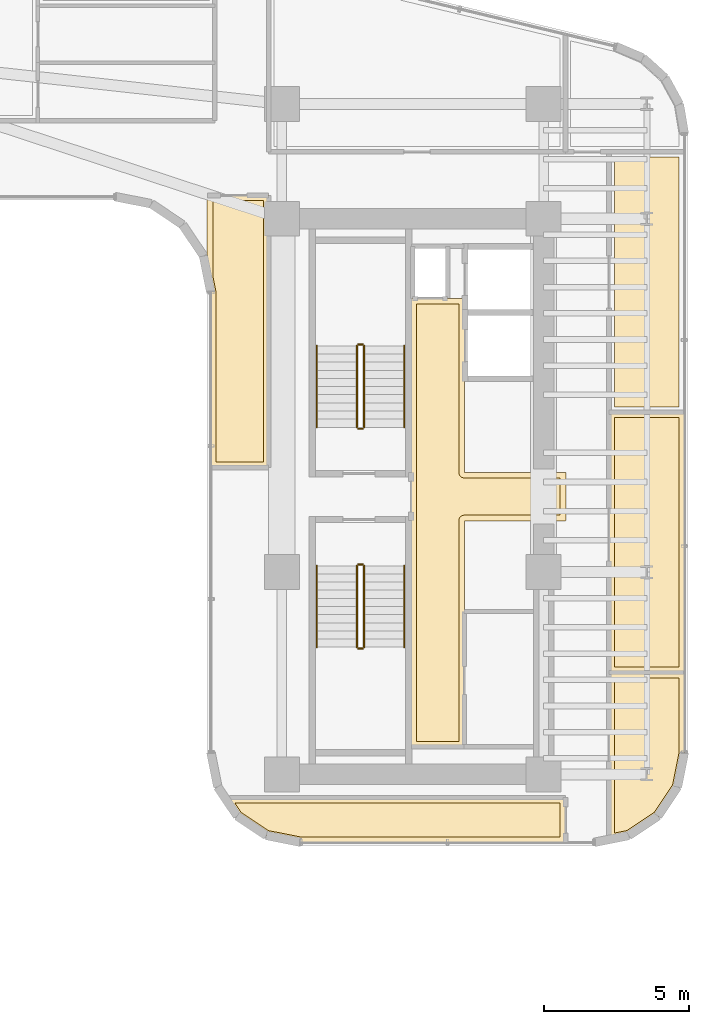
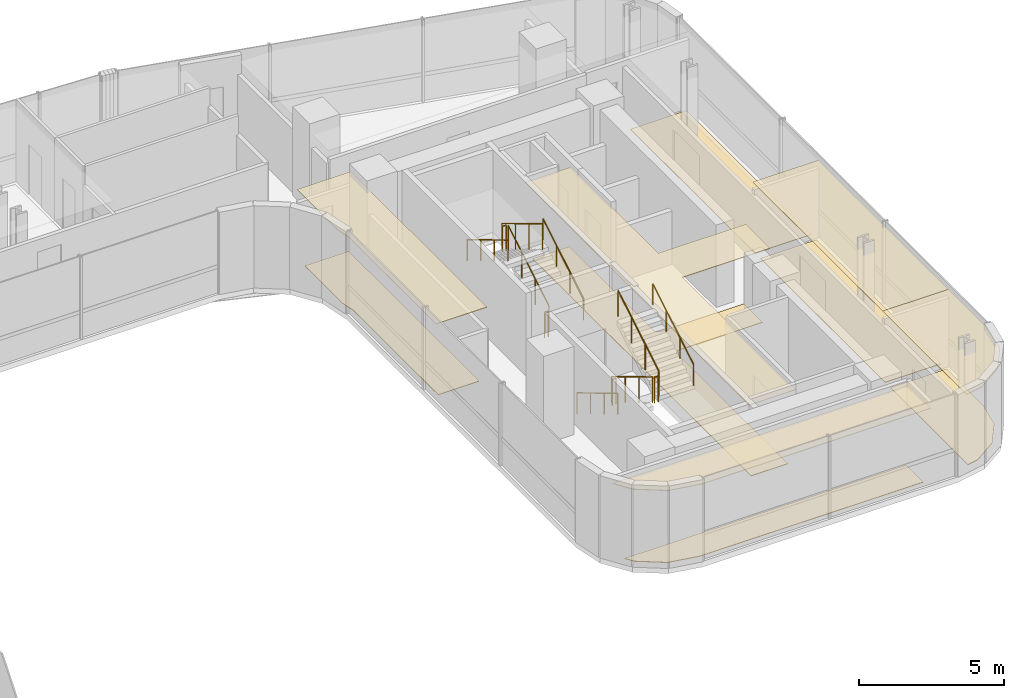
# One storey, part 35 of 37: 12 railings, 11 coverings.
"""IFC4 building model written with IfcOpenShell, lengths in metres."""

from ifc_helpers import new_model, si_unit, direction, frame, origin, origin_2d, place, context, subcontext, project, spatial, polyline, circle, outline, extrude, material, layer, layer_set, type_object, element, save


model = new_model("IFC4")

# Units and contexts
model_context = context("Model", 3, precision=1e-05, world=origin(), true_north=direction((0.0, 1.0)))
body_context = subcontext(model_context, "Body", "Model", "MODEL_VIEW")
ifc_project = project(units=[si_unit("LENGTHUNIT", "METRE"), si_unit("AREAUNIT", "SQUARE_METRE"), si_unit("VOLUMEUNIT", "CUBIC_METRE"), si_unit("PLANEANGLEUNIT", "RADIAN"), si_unit("MASSUNIT", "GRAM", prefix="KILO")], contexts=[model_context])

# Site, building, storey
site_placement = place(None, origin())
site = spatial("IfcSite", under=ifc_project, at=site_placement, CompositionType="ELEMENT")
building_placement = place(site_placement, origin())
building = spatial("IfcBuilding", under=site, at=building_placement, Name="Valdorenza Pilgrim Sanctuary Tower", CompositionType="ELEMENT")
storey_placement = place(building_placement, frame((0.0, 0.0, 127.89990234375)))
storey = spatial("IfcBuildingStorey", under=building, at=storey_placement, Name="L32", CompositionType="ELEMENT", Elevation=127.89990234375)

# Coverings
ifc_material_1 = material(Name="Micro-perforated acoustic mineral ceiling tile", Category="gypsum")
ifc_layer_1 = layer(ifc_material_1, 0.02490234375, Name="Micro-perforated acoustic mineral ceiling tile")
ifc_layer_set_1 = layer_set([ifc_layer_1], Name="Micro-perforated acoustic mineral ceiling tile")
covering_type_1 = type_object("IfcCoveringType", Name="COV-CLG-ACU", PredefinedType="CEILING", material=ifc_layer_set_1)
covering_1_placement = place(storey_placement, frame((0.0, 0.0, 3.16015625)))
element("IfcCovering", 1, at=covering_1_placement, inside=storey, type_object=covering_type_1, Name="L32 Core B Passenger Lift Lobby Acoustic Ceiling", PredefinedType="CEILING", context=body_context, shape_type="SweptSolid", body=[
    extrude(outline(polyline([(20.287109375, -0.814697265625), (20.287109375, 0.814697265625), (20.28662109375, 0.815185546875), (20.2861328125, 0.81640625), (20.28564453125, 0.81787109375), (20.285400390625, 0.819091796875), (20.28515625, 0.820556640625), (20.284912109375, 0.822021484375), (20.284912109375, 6.800048828125), (20.28515625, 6.801513671875), (20.285400390625, 6.802978515625), (20.28564453125, 6.804443359375), (20.2861328125, 6.8056640625), (20.286865234375, 6.80712890625), (20.28759765625, 6.808349609375), (20.288330078125, 6.8095703125), (20.289306640625, 6.810546875), (20.29052734375, 6.8115234375), (20.291748046875, 6.8125), (20.29296875, 6.813232421875), (20.294189453125, 6.81396484375), (20.295654296875, 6.814453125), (20.297119140625, 6.814697265625), (20.298583984375, 6.81494140625), (20.300048828125, 6.81494140625), (20.347900390625, 6.81494140625), (20.349365234375, 6.81494140625), (20.350830078125, 6.814697265625), (20.352294921875, 6.814453125), (20.353515625, 6.81396484375), (20.35498046875, 6.813232421875), (20.35546875, 6.81298828125), (21.544677734375, 6.81298828125), (21.545166015625, 6.813232421875), (21.54638671875, 6.81396484375), (21.5478515625, 6.814453125), (21.54931640625, 6.814697265625), (21.550537109375, 6.81494140625), (21.552001953125, 6.81494140625), (22.1201171875, 6.81494140625), (22.12158203125, 6.81494140625), (22.122802734375, 6.814697265625), (22.12451171875, 6.814453125), (22.125732421875, 6.81396484375), (22.127197265625, 6.813232421875), (22.12841796875, 6.8125), (22.12939453125, 6.8115234375), (22.130615234375, 6.810546875), (22.131591796875, 6.8095703125), (22.132568359375, 6.808349609375), (22.13330078125, 6.80712890625), (22.1337890625, 6.8056640625), (22.134521484375, 6.804443359375), (22.134765625, 6.802978515625), (22.135009765625, 6.801513671875), (22.135009765625, 6.800048828125), (22.135009765625, 0.8349609375), (25.60009765625, 0.8349609375), (25.6015625, 0.8349609375), (25.602783203125, 0.834716796875), (25.6044921875, 0.83447265625), (25.605712890625, 0.833984375), (25.607177734375, 0.833251953125), (25.6083984375, 0.83251953125), (25.609619140625, 0.83154296875), (25.610595703125, 0.83056640625), (25.611572265625, 0.82958984375), (25.612548828125, 0.828369140625), (25.61328125, 0.8271484375), (25.614013671875, 0.82568359375), (25.614501953125, 0.824462890625), (25.61474609375, 0.822998046875), (25.614990234375, 0.821533203125), (25.614990234375, 0.820068359375), (25.614990234375, -0.820068359375), (25.614990234375, -0.821533203125), (25.61474609375, -0.822998046875), (25.614501953125, -0.824462890625), (25.614013671875, -0.82568359375), (25.61328125, -0.8271484375), (25.612548828125, -0.828369140625), (25.611572265625, -0.82958984375), (25.610595703125, -0.83056640625), (25.609619140625, -0.83154296875), (25.6083984375, -0.83251953125), (25.607177734375, -0.833251953125), (25.605712890625, -0.833984375), (25.6044921875, -0.83447265625), (25.602783203125, -0.834716796875), (25.6015625, -0.8349609375), (25.60009765625, -0.8349609375), (22.135009765625, -0.8349609375), (22.135009765625, -8.60009765625), (22.135009765625, -8.6015625), (22.134765625, -8.602783203125), (22.134521484375, -8.6044921875), (22.1337890625, -8.605712890625), (22.13330078125, -8.607177734375), (22.132568359375, -8.6083984375), (22.131591796875, -8.609619140625), (22.130615234375, -8.610595703125), (22.12939453125, -8.611572265625), (22.12841796875, -8.612548828125), (22.127197265625, -8.61328125), (22.125732421875, -8.614013671875), (22.12451171875, -8.614501953125), (22.122802734375, -8.61474609375), (22.12158203125, -8.614990234375), (22.1201171875, -8.614990234375), (20.300048828125, -8.614990234375), (20.298583984375, -8.614990234375), (20.297119140625, -8.61474609375), (20.295654296875, -8.614501953125), (20.294189453125, -8.614013671875), (20.29296875, -8.61328125), (20.291748046875, -8.612548828125), (20.29052734375, -8.611572265625), (20.289306640625, -8.610595703125), (20.288330078125, -8.609619140625), (20.28759765625, -8.6083984375), (20.286865234375, -8.607177734375), (20.2861328125, -8.605712890625), (20.28564453125, -8.6044921875), (20.285400390625, -8.602783203125), (20.28515625, -8.6015625), (20.284912109375, -8.60009765625), (20.284912109375, -0.822021484375), (20.28515625, -0.820556640625), (20.285400390625, -0.819091796875), (20.28564453125, -0.81787109375), (20.2861328125, -0.81640625), (20.28662109375, -0.815185546875), (20.287109375, -0.814697265625)])), origin(), (0.0, 0.0, 1.0), 0.02490234375),
])
covering_2_placement = place(storey_placement, frame((0.0, 0.0, 3.16015625)))
element("IfcCovering", 2, at=covering_2_placement, inside=storey, type_object=covering_type_1, Name="L32 Sacred Manuscript Archive L32-BS Acoustic Ceiling", PredefinedType="CEILING", context=body_context, shape_type="SweptSolid", body=[
    extrude(outline(polyline([(25.614990234375, -11.889892578125), (25.614990234375, -11.8916015625), (25.61474609375, -11.892822265625), (25.614501953125, -11.894287109375), (25.614013671875, -11.895751953125), (25.61328125, -11.897216796875), (25.612548828125, -11.898193359375), (25.611572265625, -11.8994140625), (25.610595703125, -11.900634765625), (25.609619140625, -11.901611328125), (25.6083984375, -11.902587890625), (25.607177734375, -11.9033203125), (25.605712890625, -11.90380859375), (25.6044921875, -11.904296875), (25.602783203125, -11.90478515625), (25.6015625, -11.90478515625), (25.60009765625, -11.905029296875), (16.5107421875, -11.905029296875), (16.509521484375, -11.90478515625), (16.5078125, -11.90478515625), (15.3154296875, -11.66748046875), (15.31396484375, -11.6669921875), (15.3125, -11.66650390625), (15.311279296875, -11.666015625), (15.31005859375, -11.665283203125), (14.308349609375, -10.995849609375), (14.30712890625, -10.9951171875), (14.305908203125, -10.993896484375), (14.304931640625, -10.992919921875), (14.30419921875, -10.99169921875), (13.880859375, -10.3583984375), (13.880126953125, -10.357177734375), (13.87939453125, -10.355712890625), (13.87890625, -10.3544921875), (13.878662109375, -10.352783203125), (13.87841796875, -10.3515625), (13.87841796875, -10.35009765625), (13.87841796875, -10.348388671875), (13.878662109375, -10.34716796875), (13.87890625, -10.345703125), (13.87939453125, -10.34423828125), (13.880126953125, -10.343017578125), (13.880859375, -10.341796875), (13.881591796875, -10.340576171875), (13.8828125, -10.33935546875), (13.8837890625, -10.33837890625), (13.885009765625, -10.33740234375), (13.88623046875, -10.3369140625), (13.8876953125, -10.336181640625), (13.888916015625, -10.335693359375), (13.890380859375, -10.335205078125), (13.891845703125, -10.335205078125), (13.893310546875, -10.3349609375), (25.60009765625, -10.3349609375), (25.6015625, -10.335205078125), (25.602783203125, -10.335205078125), (25.6044921875, -10.335693359375), (25.605712890625, -10.336181640625), (25.607177734375, -10.3369140625), (25.6083984375, -10.33740234375), (25.609619140625, -10.33837890625), (25.610595703125, -10.33935546875), (25.611572265625, -10.340576171875), (25.612548828125, -10.341796875), (25.61328125, -10.343017578125), (25.614013671875, -10.34423828125), (25.614501953125, -10.345703125), (25.61474609375, -10.34716796875), (25.614990234375, -10.348388671875), (25.614990234375, -10.35009765625), (25.614990234375, -11.889892578125)])), origin(), (0.0, 0.0, 1.0), 0.02490234375),
])
covering_3_placement = place(storey_placement, frame((0.0, 0.0, 3.16015625)))
element("IfcCovering", 3, at=covering_3_placement, inside=storey, type_object=covering_type_1, Name="L32 East Reading Lounge L32-EB1 Acoustic Ceiling", PredefinedType="CEILING", context=body_context, shape_type="SweptSolid", body=[
    extrude(outline(polyline([(29.68994140625, -6.034912109375), (29.69140625, -6.03515625), (29.69287109375, -6.035400390625), (29.6943359375, -6.03564453125), (29.69580078125, -6.0361328125), (29.697021484375, -6.036865234375), (29.6982421875, -6.03759765625), (29.699462890625, -6.038330078125), (29.70068359375, -6.039306640625), (29.70166015625, -6.04052734375), (29.702392578125, -6.041748046875), (29.703125, -6.04296875), (29.703857421875, -6.044189453125), (29.704345703125, -6.045654296875), (29.70458984375, -6.047119140625), (29.704833984375, -6.048583984375), (29.705078125, -6.050048828125), (29.705078125, -8.789306640625), (29.704833984375, -8.79052734375), (29.70458984375, -8.7919921875), (29.467529296875, -9.984619140625), (29.467041015625, -9.986083984375), (29.466552734375, -9.9873046875), (29.466064453125, -9.98876953125), (29.46533203125, -9.989990234375), (28.7958984375, -10.99169921875), (28.794921875, -10.992919921875), (28.7939453125, -10.993896484375), (28.79296875, -10.9951171875), (28.791748046875, -10.995849609375), (27.7900390625, -11.665283203125), (27.788818359375, -11.666015625), (27.787353515625, -11.66650390625), (27.785888671875, -11.6669921875), (27.78466796875, -11.66748046875), (27.102783203125, -11.802978515625), (27.1015625, -11.80322265625), (27.10009765625, -11.803466796875), (27.098388671875, -11.80322265625), (27.09716796875, -11.802978515625), (27.095703125, -11.802734375), (27.09423828125, -11.80224609375), (27.093017578125, -11.801513671875), (27.091796875, -11.80078125), (27.090576171875, -11.800048828125), (27.08935546875, -11.799072265625), (27.08837890625, -11.7978515625), (27.08740234375, -11.796630859375), (27.0869140625, -11.79541015625), (27.086181640625, -11.794189453125), (27.085693359375, -11.792724609375), (27.085205078125, -11.791259765625), (27.085205078125, -11.789794921875), (27.0849609375, -11.788330078125), (27.0849609375, -6.050048828125), (27.085205078125, -6.048583984375), (27.085205078125, -6.047119140625), (27.085693359375, -6.045654296875), (27.086181640625, -6.044189453125), (27.0869140625, -6.04296875), (27.08740234375, -6.041748046875), (27.08837890625, -6.04052734375), (27.08935546875, -6.039306640625), (27.090576171875, -6.038330078125), (27.091796875, -6.03759765625), (27.093017578125, -6.036865234375), (27.09423828125, -6.0361328125), (27.095703125, -6.03564453125), (27.09716796875, -6.035400390625), (27.098388671875, -6.03515625), (27.10009765625, -6.034912109375), (29.68994140625, -6.034912109375)])), origin(), (0.0, 0.0, 1.0), 0.02490234375),
])
covering_4_placement = place(storey_placement, frame((0.0, 0.0, 3.16015625)))
element("IfcCovering", 4, at=covering_4_placement, inside=storey, type_object=covering_type_1, Name="L32 East Reading Lounge L32-EB2 Acoustic Ceiling", PredefinedType="CEILING", context=body_context, shape_type="SweptSolid", body=[
    extrude(outline(polyline([(27.0849609375, 2.89990234375), (27.085205078125, 2.901611328125), (27.085205078125, 2.90283203125), (27.085693359375, 2.904296875), (27.086181640625, 2.90576171875), (27.0869140625, 2.906982421875), (27.08740234375, 2.908203125), (27.08837890625, 2.909423828125), (27.08935546875, 2.91064453125), (27.090576171875, 2.91162109375), (27.091796875, 2.91259765625), (27.093017578125, 2.9130859375), (27.09423828125, 2.913818359375), (27.095703125, 2.914306640625), (27.09716796875, 2.914794921875), (27.098388671875, 2.914794921875), (27.10009765625, 2.9150390625), (29.68994140625, 2.9150390625), (29.69140625, 2.914794921875), (29.69287109375, 2.914794921875), (29.6943359375, 2.914306640625), (29.69580078125, 2.913818359375), (29.697021484375, 2.9130859375), (29.6982421875, 2.91259765625), (29.699462890625, 2.91162109375), (29.70068359375, 2.91064453125), (29.70166015625, 2.909423828125), (29.702392578125, 2.908203125), (29.703125, 2.906982421875), (29.703857421875, 2.90576171875), (29.704345703125, 2.904296875), (29.70458984375, 2.90283203125), (29.704833984375, 2.901611328125), (29.705078125, 2.89990234375), (29.705078125, -6.048095703125), (29.704833984375, -6.049560546875), (29.70458984375, -6.05078125), (29.704345703125, -6.052490234375), (29.703857421875, -6.0537109375), (29.703125, -6.05517578125), (29.702392578125, -6.056396484375), (29.70166015625, -6.0576171875), (29.70068359375, -6.05859375), (29.699462890625, -6.0595703125), (29.6982421875, -6.060546875), (29.697021484375, -6.061279296875), (29.69580078125, -6.06201171875), (29.6943359375, -6.0625), (29.69287109375, -6.062744140625), (29.69140625, -6.06298828125), (29.68994140625, -6.06298828125), (27.10009765625, -6.06298828125), (27.098388671875, -6.06298828125), (27.09716796875, -6.062744140625), (27.095703125, -6.0625), (27.09423828125, -6.06201171875), (27.093017578125, -6.061279296875), (27.091796875, -6.060546875), (27.090576171875, -6.0595703125), (27.08935546875, -6.05859375), (27.08837890625, -6.0576171875), (27.08740234375, -6.056396484375), (27.0869140625, -6.05517578125), (27.086181640625, -6.0537109375), (27.085693359375, -6.052490234375), (27.085205078125, -6.05078125), (27.085205078125, -6.049560546875), (27.0849609375, -6.048095703125), (27.0849609375, 2.89990234375)])), origin(), (0.0, 0.0, 1.0), 0.02490234375),
])
covering_5_placement = place(storey_placement, frame((0.0, 0.0, 3.16015625)))
element("IfcCovering", 5, at=covering_5_placement, inside=storey, type_object=covering_type_1, Name="L32 Courtyard Overlook Salon L32 Acoustic Ceiling", PredefinedType="CEILING", context=body_context, shape_type="SweptSolid", body=[
    extrude(outline(polyline([(15.39990234375, 10.364990234375), (15.401611328125, 10.364990234375), (15.40283203125, 10.36474609375), (15.404296875, 10.364501953125), (15.40576171875, 10.364013671875), (15.406982421875, 10.36328125), (15.408203125, 10.362548828125), (15.409423828125, 10.361572265625), (15.41064453125, 10.360595703125), (15.41162109375, 10.359619140625), (15.41259765625, 10.3583984375), (15.4130859375, 10.357177734375), (15.413818359375, 10.355712890625), (15.414306640625, 10.3544921875), (15.414794921875, 10.352783203125), (15.414794921875, 10.3515625), (15.4150390625, 10.35009765625), (15.4150390625, 1.0), (15.414794921875, 0.99853515625), (15.414794921875, 0.9970703125), (15.414306640625, 0.99560546875), (15.413818359375, 0.994384765625), (15.4130859375, 0.992919921875), (15.41259765625, 0.99169921875), (15.41162109375, 0.990478515625), (15.41064453125, 0.989501953125), (15.409423828125, 0.98828125), (15.408203125, 0.987548828125), (15.406982421875, 0.98681640625), (15.40576171875, 0.986083984375), (15.404296875, 0.985595703125), (15.40283203125, 0.9853515625), (15.401611328125, 0.985107421875), (15.39990234375, 0.985107421875), (13.409912109375, 0.985107421875), (13.408447265625, 0.985107421875), (13.406982421875, 0.9853515625), (13.405517578125, 0.985595703125), (13.404296875, 0.986083984375), (13.40283203125, 0.98681640625), (13.401611328125, 0.987548828125), (13.400390625, 0.98828125), (13.3994140625, 0.989501953125), (13.3984375, 0.990478515625), (13.3974609375, 0.99169921875), (13.396728515625, 0.992919921875), (13.39599609375, 0.994384765625), (13.3955078125, 0.99560546875), (13.395263671875, 0.9970703125), (13.39501953125, 0.99853515625), (13.39501953125, 1.0), (13.39501953125, 6.99951171875), (13.39453125, 7.00927734375), (13.39306640625, 7.018798828125), (13.285400390625, 7.560791015625), (13.28515625, 7.562255859375), (13.284912109375, 7.563720703125), (13.284912109375, 10.35009765625), (13.28515625, 10.3515625), (13.285400390625, 10.352783203125), (13.28564453125, 10.3544921875), (13.2861328125, 10.355712890625), (13.286865234375, 10.357177734375), (13.28759765625, 10.3583984375), (13.288330078125, 10.359619140625), (13.289306640625, 10.360595703125), (13.29052734375, 10.361572265625), (13.291748046875, 10.362548828125), (13.29296875, 10.36328125), (13.294189453125, 10.364013671875), (13.295654296875, 10.364501953125), (13.297119140625, 10.36474609375), (13.298583984375, 10.364990234375), (13.300048828125, 10.364990234375), (15.39990234375, 10.364990234375)])), origin(), (0.0, 0.0, 1.0), 0.02490234375),
])
ifc_material_2 = material(Name="Honed travertine stone flooring", Category="masonry")
ifc_layer_2 = layer(ifc_material_2, 0.030029296875, Name="Honed travertine stone flooring")
ifc_layer_set_2 = layer_set([ifc_layer_2], Name="Honed travertine stone flooring")
covering_type_2 = type_object("IfcCoveringType", Name="COV-FLR-TRV", PredefinedType="FLOORING", material=ifc_layer_set_2)
covering_6_placement = place(storey_placement, origin())
element("IfcCovering", 6, at=covering_6_placement, inside=storey, type_object=covering_type_2, Name="L32 Core B Passenger Lift Lobby Flooring", PredefinedType="FLOORING", context=body_context, shape_type="SweptSolid", body=[
    extrude(outline(polyline([(20.47998046875, 6.617919921875), (21.550048828125, 6.617919921875), (21.550537109375, 6.617919921875), (21.93994140625, 6.619384765625), (21.93994140625, 0.820068359375), (21.94091796875, 0.802490234375), (21.943603515625, 0.784912109375), (21.94775390625, 0.767578125), (21.95361328125, 0.751220703125), (21.961181640625, 0.735107421875), (21.97021484375, 0.719970703125), (21.98095703125, 0.705810546875), (21.99267578125, 0.692626953125), (22.005859375, 0.680908203125), (22.02001953125, 0.67041015625), (22.03515625, 0.661376953125), (22.051025390625, 0.65380859375), (22.067626953125, 0.647705078125), (22.0849609375, 0.6435546875), (22.102294921875, 0.640869140625), (22.1201171875, 0.639892578125), (25.419921875, 0.639892578125), (25.419921875, -0.639892578125), (22.1201171875, -0.639892578125), (22.102294921875, -0.640869140625), (22.0849609375, -0.6435546875), (22.067626953125, -0.647705078125), (22.051025390625, -0.65380859375), (22.03515625, -0.661376953125), (22.02001953125, -0.67041015625), (22.005859375, -0.680908203125), (21.99267578125, -0.692626953125), (21.98095703125, -0.705810546875), (21.97021484375, -0.719970703125), (21.961181640625, -0.735107421875), (21.95361328125, -0.751220703125), (21.94775390625, -0.767578125), (21.943603515625, -0.784912109375), (21.94091796875, -0.802490234375), (21.93994140625, -0.820068359375), (21.93994140625, -8.419921875), (20.47998046875, -8.419921875), (20.47998046875, -0.846923828125), (20.47998046875, -0.8466796875), (20.47998046875, -0.8466796875), (20.481689453125, -0.8291015625), (20.481689453125, -0.828857421875), (20.48193359375, -0.820068359375), (20.48193359375, 0.820068359375), (20.47998046875, 6.617919921875)])), origin(), (0.0, 0.0, 1.0), 0.025146484375),
])
covering_7_placement = place(storey_placement, origin())
element("IfcCovering", 7, at=covering_7_placement, inside=storey, type_object=covering_type_2, Name="L32 Sacred Manuscript Archive L32-BS Flooring", PredefinedType="FLOORING", context=body_context, shape_type="SweptSolid", body=[
    extrude(outline(polyline([(25.419921875, -11.7099609375), (16.528564453125, -11.7099609375), (15.388671875, -11.483154296875), (14.4462890625, -10.853515625), (14.22998046875, -10.530029296875), (25.419921875, -10.530029296875), (25.419921875, -11.7099609375)])), origin(), (0.0, 0.0, 1.0), 0.025146484375),
])
covering_8_placement = place(storey_placement, origin())
element("IfcCovering", 8, at=covering_8_placement, inside=storey, type_object=covering_type_2, Name="L32 East Reading Lounge L32-EB1 Flooring", PredefinedType="FLOORING", context=body_context, shape_type="SweptSolid", body=[
    extrude(outline(polyline([(29.510009765625, -6.22998046875), (29.510009765625, -8.771484375), (29.283203125, -9.911376953125), (28.653564453125, -10.853515625), (27.71142578125, -11.483154296875), (27.280029296875, -11.569091796875), (27.280029296875, -6.22998046875), (29.510009765625, -6.22998046875)])), origin(), (0.0, 0.0, 1.0), 0.025146484375),
])
covering_9_placement = place(storey_placement, origin())
element("IfcCovering", 9, at=covering_9_placement, inside=storey, type_object=covering_type_2, Name="L32 East Reading Lounge L32-EB2 Flooring", PredefinedType="FLOORING", context=body_context, shape_type="SweptSolid", body=[
    extrude(outline(polyline([(27.280029296875, 2.719970703125), (29.510009765625, 2.719970703125), (29.510009765625, -5.867919921875), (27.280029296875, -5.867919921875), (27.280029296875, 2.719970703125)])), origin(), (0.0, 0.0, 1.0), 0.025146484375),
])
covering_10_placement = place(storey_placement, origin())
element("IfcCovering", 10, at=covering_10_placement, inside=storey, type_object=covering_type_2, Name="L32 East Reading Lounge L32-EB3 Flooring", PredefinedType="FLOORING", context=body_context, shape_type="SweptSolid", body=[
    extrude(outline(polyline([(27.280029296875, 11.66796875), (29.510009765625, 11.66796875), (29.510009765625, 3.08203125), (27.280029296875, 3.08203125), (27.280029296875, 11.66796875)])), origin(), (0.0, 0.0, 1.0), 0.025146484375),
])
covering_11_placement = place(storey_placement, origin())
element("IfcCovering", 11, at=covering_11_placement, inside=storey, type_object=covering_type_2, Name="L32 Courtyard Overlook Salon L32 Flooring", PredefinedType="FLOORING", context=body_context, shape_type="SweptSolid", body=[
    extrude(outline(polyline([(15.219970703125, 10.169921875), (15.219970703125, 1.179931640625), (13.590087890625, 1.179931640625), (13.590087890625, 7.0), (13.58984375, 7.0087890625), (13.58935546875, 7.01953125), (13.58740234375, 7.037109375), (13.5859375, 7.0478515625), (13.58447265625, 7.056640625), (13.47998046875, 7.58154296875), (13.47998046875, 10.169921875), (15.219970703125, 10.169921875)])), origin(), (0.0, 0.0, 1.0), 0.025146484375),
])

# Railings
ifc_material_3 = material(Name="Stainless steel Grade 316", Category="steel")
railing_type_1 = type_object("IfcRailingType", Name="RLG-GRD-1120", PredefinedType="GUARDRAIL", material=ifc_material_3)
railing_1_placement = place(storey_placement, frame((18.679931640625, 2.3798828125, 0.168212890625)))
element("IfcRailing", 12, at=railing_1_placement, inside=storey, type_object=railing_type_1, Name="L32 ST-B1 stair guard 1", PredefinedType="GUARDRAIL", context=body_context, shape_type="SweptSolid", body=[
    extrude(circle(Radius=0.02392578125, at=origin_2d()), frame((0.0, 0.0, 1.076171875), z_axis=(0.0, 0.857242210791, 0.514913383045), x_axis=(-1.0, 0.0, 0.0)), (0.0, 0.0, 1.0), 3.266357421875),
    extrude(circle(Radius=0.02099609375, at=origin_2d()), origin(), (0.0, 0.0, 1.0), 1.052001953125),
    extrude(circle(Radius=0.02099609375, at=origin_2d()), frame((0.0, 0.933349609375, 0.560546875)), (0.0, 0.0, 1.0), 1.052001953125),
    extrude(circle(Radius=0.02099609375, at=origin_2d()), frame((0.0, 1.86669921875, 1.121337890625)), (0.0, 0.0, 1.0), 1.052001953125),
    extrude(circle(Radius=0.02099609375, at=origin_2d()), frame((0.0, 2.800048828125, 1.681884765625)), (0.0, 0.0, 1.0), 1.052001953125),
])
railing_2_placement = place(storey_placement, frame((18.6298828125, 5.22998046875, 1.85009765625)))
element("IfcRailing", 13, at=railing_2_placement, inside=storey, type_object=railing_type_1, Name="L32 ST-B1 stair guard 2", PredefinedType="GUARDRAIL", context=body_context, shape_type="SweptSolid", body=[
    extrude(circle(Radius=0.02392578125, at=origin_2d()), frame((0.0, 0.0, 1.076171875), z_axis=(-1.0, 0.0, 0.0), x_axis=(0.0, -1.0, 0.0)), (0.0, 0.0, 1.0), 0.14990234375),
    extrude(circle(Radius=0.02099609375, at=origin_2d()), origin(), (0.0, 0.0, 1.0), 1.052001953125),
    extrude(circle(Radius=0.02099609375, at=origin_2d()), frame((-0.14990234375, 0.0, 0.0)), (0.0, 0.0, 1.0), 1.052001953125),
])
railing_3_placement = place(storey_placement, frame((18.429931640625, 5.179931640625, 2.018310546875)))
element("IfcRailing", 14, at=railing_3_placement, inside=storey, type_object=railing_type_1, Name="L32 ST-B1 stair guard 3", PredefinedType="GUARDRAIL", context=body_context, shape_type="SweptSolid", body=[
    extrude(circle(Radius=0.02392578125, at=origin_2d()), frame((0.0, 0.0, 1.076171875), z_axis=(0.0, -0.857242210791, 0.514913383045), x_axis=(1.0, 0.0, 0.0)), (0.0, 0.0, 1.0), 3.266357421875),
    extrude(circle(Radius=0.02099609375, at=origin_2d()), origin(), (0.0, 0.0, 1.0), 1.052001953125),
    extrude(circle(Radius=0.02099609375, at=origin_2d()), frame((0.0, -0.933349609375, 0.560546875)), (0.0, 0.0, 1.0), 1.052001953125),
    extrude(circle(Radius=0.02099609375, at=origin_2d()), frame((0.0, -1.86669921875, 1.121337890625)), (0.0, 0.0, 1.0), 1.052001953125),
    extrude(circle(Radius=0.02099609375, at=origin_2d()), frame((0.0, -2.800048828125, 1.681884765625)), (0.0, 0.0, 1.0), 1.052001953125),
])
railing_4_placement = place(storey_placement, frame((18.6298828125, 2.330078125, 0.0)))
element("IfcRailing", 15, at=railing_4_placement, inside=storey, type_object=railing_type_1, Name="L32 ST-B1 stair guard 4", PredefinedType="GUARDRAIL", context=body_context, shape_type="SweptSolid", body=[
    extrude(circle(Radius=0.02392578125, at=origin_2d()), frame((0.0, 0.0, 1.076171875), z_axis=(-1.0, 0.0, 0.0), x_axis=(0.0, -1.0, 0.0)), (0.0, 0.0, 1.0), 0.14990234375),
    extrude(circle(Radius=0.02099609375, at=origin_2d()), origin(), (0.0, 0.0, 1.0), 1.052001953125),
    extrude(circle(Radius=0.02099609375, at=origin_2d()), frame((-0.14990234375, 0.0, 0.0)), (0.0, 0.0, 1.0), 1.052001953125),
])
railing_5_placement = place(storey_placement, frame((18.429931640625, -2.3798828125, 0.168212890625)))
element("IfcRailing", 16, at=railing_5_placement, inside=storey, type_object=railing_type_1, Name="L32 ST-B2 stair guard 1", PredefinedType="GUARDRAIL", context=body_context, shape_type="SweptSolid", body=[
    extrude(circle(Radius=0.02392578125, at=origin_2d()), frame((0.0, 0.0, 1.076171875), z_axis=(0.0, -0.857242210791, 0.514913383045), x_axis=(1.0, 0.0, 0.0)), (0.0, 0.0, 1.0), 3.266357421875),
    extrude(circle(Radius=0.02099609375, at=origin_2d()), origin(), (0.0, 0.0, 1.0), 1.052001953125),
    extrude(circle(Radius=0.02099609375, at=origin_2d()), frame((0.0, -0.933349609375, 0.560546875)), (0.0, 0.0, 1.0), 1.052001953125),
    extrude(circle(Radius=0.02099609375, at=origin_2d()), frame((0.0, -1.86669921875, 1.121337890625)), (0.0, 0.0, 1.0), 1.052001953125),
    extrude(circle(Radius=0.02099609375, at=origin_2d()), frame((0.0, -2.800048828125, 1.681884765625)), (0.0, 0.0, 1.0), 1.052001953125),
])
railing_6_placement = place(storey_placement, frame((18.47998046875, -5.22998046875, 1.85009765625)))
element("IfcRailing", 17, at=railing_6_placement, inside=storey, type_object=railing_type_1, Name="L32 ST-B2 stair guard 2", PredefinedType="GUARDRAIL", context=body_context, shape_type="SweptSolid", body=[
    extrude(circle(Radius=0.02392578125, at=origin_2d()), frame((0.0, 0.0, 1.076171875), z_axis=(1.0, 0.0, 0.0), x_axis=(0.0, 1.0, 0.0)), (0.0, 0.0, 1.0), 0.14990234375),
    extrude(circle(Radius=0.02099609375, at=origin_2d()), origin(), (0.0, 0.0, 1.0), 1.052001953125),
    extrude(circle(Radius=0.02099609375, at=origin_2d()), frame((0.14990234375, 0.0, 0.0)), (0.0, 0.0, 1.0), 1.052001953125),
])
railing_7_placement = place(storey_placement, frame((18.679931640625, -5.179931640625, 2.018310546875)))
element("IfcRailing", 18, at=railing_7_placement, inside=storey, type_object=railing_type_1, Name="L32 ST-B2 stair guard 3", PredefinedType="GUARDRAIL", context=body_context, shape_type="SweptSolid", body=[
    extrude(circle(Radius=0.02392578125, at=origin_2d()), frame((0.0, 0.0, 1.076171875), z_axis=(0.0, 0.857242210791, 0.514913383045), x_axis=(-1.0, 0.0, 0.0)), (0.0, 0.0, 1.0), 3.266357421875),
    extrude(circle(Radius=0.02099609375, at=origin_2d()), origin(), (0.0, 0.0, 1.0), 1.052001953125),
    extrude(circle(Radius=0.02099609375, at=origin_2d()), frame((0.0, 0.933349609375, 0.560546875)), (0.0, 0.0, 1.0), 1.052001953125),
    extrude(circle(Radius=0.02099609375, at=origin_2d()), frame((0.0, 1.86669921875, 1.121337890625)), (0.0, 0.0, 1.0), 1.052001953125),
    extrude(circle(Radius=0.02099609375, at=origin_2d()), frame((0.0, 2.800048828125, 1.681884765625)), (0.0, 0.0, 1.0), 1.052001953125),
])
railing_8_placement = place(storey_placement, frame((18.47998046875, -2.330078125, 0.0)))
element("IfcRailing", 19, at=railing_8_placement, inside=storey, type_object=railing_type_1, Name="L32 ST-B2 stair guard 4", PredefinedType="GUARDRAIL", context=body_context, shape_type="SweptSolid", body=[
    extrude(circle(Radius=0.02392578125, at=origin_2d()), frame((0.0, 0.0, 1.076171875), z_axis=(1.0, 0.0, 0.0), x_axis=(0.0, 1.0, 0.0)), (0.0, 0.0, 1.0), 0.14990234375),
    extrude(circle(Radius=0.02099609375, at=origin_2d()), origin(), (0.0, 0.0, 1.0), 1.052001953125),
    extrude(circle(Radius=0.02099609375, at=origin_2d()), frame((0.14990234375, 0.0, 0.0)), (0.0, 0.0, 1.0), 1.052001953125),
])
ifc_material_4 = material(Name="Brushed stainless steel Grade 316", Category="steel")
railing_type_2 = type_object("IfcRailingType", Name="RLG-HND-920", PredefinedType="HANDRAIL", material=ifc_material_4)
railing_9_placement = place(storey_placement, frame((20.06005859375, 2.3798828125, 0.168212890625)))
element("IfcRailing", 20, at=railing_9_placement, inside=storey, type_object=railing_type_2, Name="L32 ST-B1 stair handrail 1", PredefinedType="HANDRAIL", context=body_context, shape_type="SweptSolid", body=[
    extrude(circle(Radius=0.02392578125, at=origin_2d()), frame((0.0, 0.0, 0.8759765625), z_axis=(0.0, 0.857242210791, 0.514913383045), x_axis=(-1.0, 0.0, 0.0)), (0.0, 0.0, 1.0), 3.266357421875),
    extrude(circle(Radius=0.02099609375, at=origin_2d()), origin(), (0.0, 0.0, 1.0), 0.851806640625),
    extrude(circle(Radius=0.02099609375, at=origin_2d()), frame((0.0, 0.933349609375, 0.560546875)), (0.0, 0.0, 1.0), 0.851806640625),
    extrude(circle(Radius=0.02099609375, at=origin_2d()), frame((0.0, 1.86669921875, 1.121337890625)), (0.0, 0.0, 1.0), 0.851806640625),
    extrude(circle(Radius=0.02099609375, at=origin_2d()), frame((0.0, 2.800048828125, 1.681884765625)), (0.0, 0.0, 1.0), 0.851806640625),
])
for number, where, name in (
    (21, (17.050048828125, 5.179931640625, 2.018310546875), "L32 ST-B1 stair handrail 2"),
    (22, (17.050048828125, -2.3798828125, 0.168212890625), "L32 ST-B2 stair handrail 1"),
):
    element("IfcRailing", number, at=place(storey_placement, frame(where)), inside=storey, type_object=railing_type_2, Name=name, PredefinedType="HANDRAIL", context=body_context, shape_type="SweptSolid", body=[
        extrude(circle(Radius=0.02392578125, at=origin_2d()), frame((0.0, 0.0, 0.8759765625), z_axis=(0.0, -0.857242210791, 0.514913383045), x_axis=(1.0, 0.0, 0.0)), (0.0, 0.0, 1.0), 3.266357421875),
        extrude(circle(Radius=0.02099609375, at=origin_2d()), origin(), (0.0, 0.0, 1.0), 0.851806640625),
        extrude(circle(Radius=0.02099609375, at=origin_2d()), frame((0.0, -0.933349609375, 0.560546875)), (0.0, 0.0, 1.0), 0.851806640625),
        extrude(circle(Radius=0.02099609375, at=origin_2d()), frame((0.0, -1.86669921875, 1.121337890625)), (0.0, 0.0, 1.0), 0.851806640625),
        extrude(circle(Radius=0.02099609375, at=origin_2d()), frame((0.0, -2.800048828125, 1.681884765625)), (0.0, 0.0, 1.0), 0.851806640625),
    ])
railing_10_placement = place(storey_placement, frame((20.06005859375, -5.179931640625, 2.018310546875)))
element("IfcRailing", 23, at=railing_10_placement, inside=storey, type_object=railing_type_2, Name="L32 ST-B2 stair handrail 2", PredefinedType="HANDRAIL", context=body_context, shape_type="SweptSolid", body=[
    extrude(circle(Radius=0.02392578125, at=origin_2d()), frame((0.0, 0.0, 0.8759765625), z_axis=(0.0, 0.857242210791, 0.514913383045), x_axis=(-1.0, 0.0, 0.0)), (0.0, 0.0, 1.0), 3.266357421875),
    extrude(circle(Radius=0.02099609375, at=origin_2d()), origin(), (0.0, 0.0, 1.0), 0.851806640625),
    extrude(circle(Radius=0.02099609375, at=origin_2d()), frame((0.0, 0.933349609375, 0.560546875)), (0.0, 0.0, 1.0), 0.851806640625),
    extrude(circle(Radius=0.02099609375, at=origin_2d()), frame((0.0, 1.86669921875, 1.121337890625)), (0.0, 0.0, 1.0), 0.851806640625),
    extrude(circle(Radius=0.02099609375, at=origin_2d()), frame((0.0, 2.800048828125, 1.681884765625)), (0.0, 0.0, 1.0), 0.851806640625),
])

save(model, "model.ifc")
